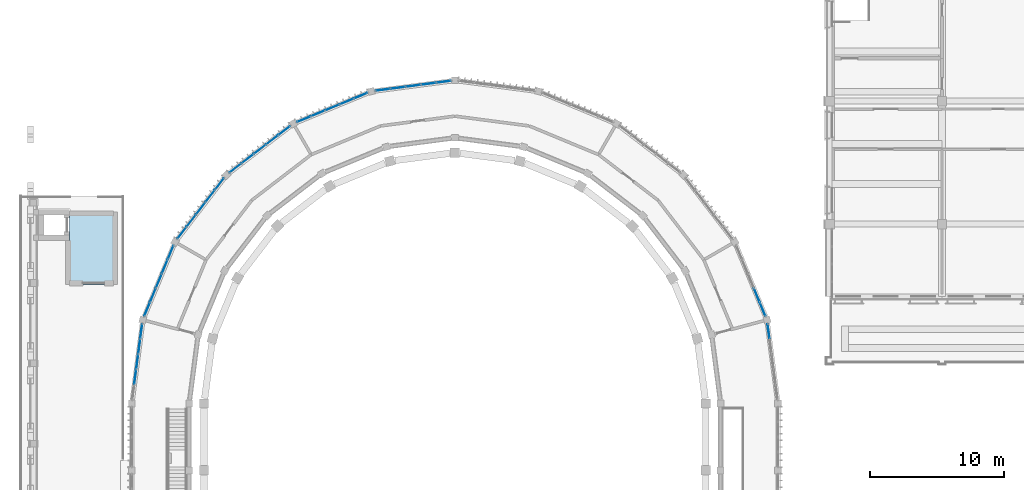
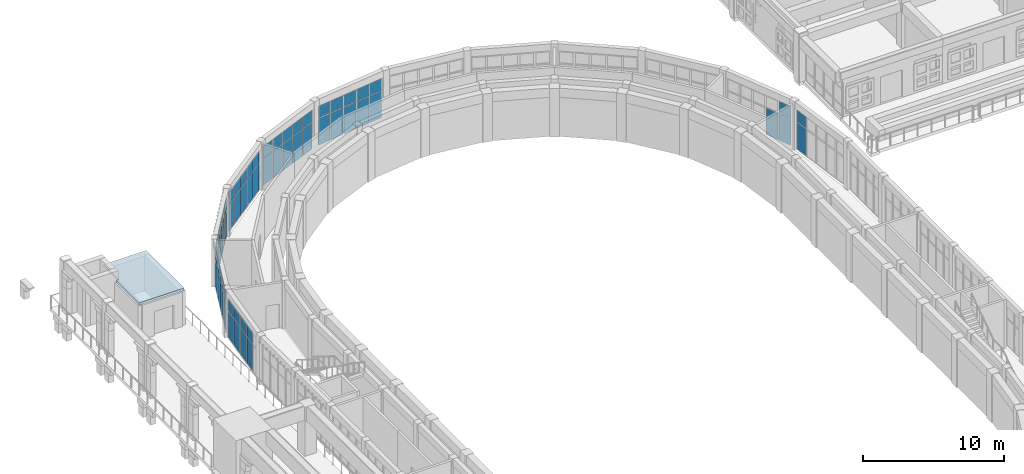
# One storey, part 46 of 99: 63 plates, 1 slab, 8 elements without a shape of their own.
"""IFC4 building model written with IfcOpenShell, lengths in metres."""

from ifc_helpers import new_model, si_unit, direction, frame, origin, origin_2d, place, context, subcontext, project, spatial, polyline, rectangle, outline, extrude, material, layer, layer_set, type_object, element, aggregate, save


model = new_model("IFC4")

# Units and contexts
model_context = context("Model", 3, precision=1e-05, world=origin(), true_north=direction((0.0, 1.0)))
body_context = subcontext(model_context, "Body", "Model", "MODEL_VIEW")
ifc_project = project(units=[si_unit("LENGTHUNIT", "METRE"), si_unit("AREAUNIT", "SQUARE_METRE"), si_unit("VOLUMEUNIT", "CUBIC_METRE"), si_unit("PLANEANGLEUNIT", "RADIAN"), si_unit("MASSUNIT", "GRAM", prefix="KILO")], contexts=[model_context])

# Site, building, storey
site_placement = place(None, origin())
site = spatial("IfcSite", under=ifc_project, at=site_placement, CompositionType="ELEMENT")
building_placement = place(site_placement, origin())
building = spatial("IfcBuilding", under=site, at=building_placement, Name="Wasatch Bagh Community Centre", CompositionType="ELEMENT")
storey_placement = place(building_placement, frame((0.0, 0.0, 4.199951171875)))
storey = spatial("IfcBuildingStorey", under=building, at=storey_placement, Name="L01", CompositionType="ELEMENT", Elevation=4.199951171875)

# Slab
ifc_material_1 = material(Name="Concrete C35", Category="concrete")
ifc_layer_1 = layer(ifc_material_1, 0.2099609375)
ifc_layer_set_1 = layer_set([ifc_layer_1], Name="Concrete C35")
slab_type = type_object("IfcSlabType", Name="CT-S3", PredefinedType="ROOF", material=ifc_layer_set_1)
slab_placement = place(storey_placement, frame((0.0, 0.0, 3.0)))
element("IfcSlab", 1, at=slab_placement, inside=storey, type_object=slab_type, Name="Terrace lobby N roof", PredefinedType="ROOF", context=body_context, shape_type="SweptSolid", body=[
    extrude(outline(polyline([(10.699951171875, 79.300048828125), (10.699951171875, 73.89990234375), (7.0, 73.89990234375), (7.0, 77.18994140625), (7.199951171875, 77.18994140625), (7.199951171875, 79.300048828125), (10.699951171875, 79.300048828125)])), origin(), (0.0, 0.0, 1.0), 0.2099609375),
])

# Curtain wall, plates
ifc_material_2 = material(Name="Aluminium curtain wall frame with low-iron insulated glass", Category="aluminium")
ifc_layer_2 = layer(ifc_material_2, 0.14990234375)
ifc_layer_set_2 = layer_set([ifc_layer_2], Name="Aluminium curtain wall frame with low-iron insulated glass")
curtain_wall_type = type_object("IfcCurtainWallType", Name="Drum curtain wall DR-CW2", PredefinedType="NOTDEFINED", material=ifc_layer_set_2)
curtain_wall_1_placement = place(storey_placement, origin())
curtain_wall_1 = element("IfcCurtainWall", 2, at=curtain_wall_1_placement, inside=storey, type_object=curtain_wall_type, Name="Curtain wall DR-CW2 19", PredefinedType="NOTDEFINED")
ifc_material_3 = material(Name="Low-iron insulated glass", Category="glass")
ifc_layer_3 = layer(ifc_material_3, 0.028076171875)
ifc_layer_set_3 = layer_set([ifc_layer_3], Name="Low-iron insulated glass")
plate_type = type_object("IfcPlateType", Name="Drum glass panel DR-CW2", PredefinedType="CURTAIN_PANEL", material=ifc_layer_set_3)
plate_1_placement = place(storey_placement, frame((59.438720703125, 70.40234375, 0.06005859375), z_axis=(0.0, 0.0, 1.0), x_axis=(-0.130526192185, 0.991444861378, 0.0)))
plate_1 = element("IfcPlate", 3, at=plate_1_placement, type_object=plate_type, Name="DR-CW2 panel 5.1", PredefinedType="CURTAIN_PANEL", context=body_context, shape_type="SweptSolid", body=[
    extrude(rectangle(XDim=1.06591796875, YDim=0.028076171875, at=origin_2d()), origin(), (0.0, 0.0, 1.0), 2.31005859375),
])
plate_2_placement = place(storey_placement, frame((59.438720703125, 70.40234375, 2.43017578125), z_axis=(0.0, 0.0, 1.0), x_axis=(-0.130526192185, 0.991444861378, 0.0)))
plate_2 = element("IfcPlate", 4, at=plate_2_placement, type_object=plate_type, Name="DR-CW2 panel 5.2", PredefinedType="CURTAIN_PANEL", context=body_context, shape_type="SweptSolid", body=[
    extrude(rectangle(XDim=1.06591796875, YDim=0.028076171875, at=origin_2d()), origin(), (0.0, 0.0, 1.0), 1.010009765625),
])
aggregate(curtain_wall_1, [plate_1, plate_2])

curtain_wall_2_placement = place(storey_placement, origin())
curtain_wall_2 = element("IfcCurtainWall", 5, at=curtain_wall_2_placement, inside=storey, type_object=curtain_wall_type, Name="Curtain wall DR-CW2 20", PredefinedType="NOTDEFINED")
plate_3_placement = place(storey_placement, frame((58.999755859375, 72.040771484375, 0.06005859375), z_axis=(0.0, 0.0, 1.0), x_axis=(-0.38268343251, 0.923879532451, 0.0)))
plate_3 = element("IfcPlate", 6, at=plate_3_placement, type_object=plate_type, Name="DR-CW2 panel 1.1", PredefinedType="CURTAIN_PANEL", context=body_context, shape_type="SweptSolid", body=[
    extrude(rectangle(XDim=1.06591796875, YDim=0.028076171875, at=origin_2d()), origin(), (0.0, 0.0, 1.0), 2.31005859375),
])
plate_4_placement = place(storey_placement, frame((58.999755859375, 72.040771484375, 2.43017578125), z_axis=(0.0, 0.0, 1.0), x_axis=(-0.38268343251, 0.923879532451, 0.0)))
plate_4 = element("IfcPlate", 7, at=plate_4_placement, type_object=plate_type, Name="DR-CW2 panel 1.2", PredefinedType="CURTAIN_PANEL", context=body_context, shape_type="SweptSolid", body=[
    extrude(rectangle(XDim=1.06591796875, YDim=0.028076171875, at=origin_2d()), origin(), (0.0, 0.0, 1.0), 1.010009765625),
])
plate_5_placement = place(storey_placement, frame((58.563232421875, 73.094970703125, 0.06005859375), z_axis=(0.0, 0.0, 1.0), x_axis=(-0.38268343251, 0.923879532451, 0.0)))
plate_5 = element("IfcPlate", 8, at=plate_5_placement, type_object=plate_type, Name="DR-CW2 panel 2.1", PredefinedType="CURTAIN_PANEL", context=body_context, shape_type="SweptSolid", body=[
    extrude(rectangle(XDim=1.095947265625, YDim=0.028076171875, at=origin_2d()), origin(), (0.0, 0.0, 1.0), 2.31005859375),
])
aggregate(curtain_wall_2, [plate_3, plate_4, plate_5])

curtain_wall_3_placement = place(storey_placement, origin())
curtain_wall_3 = element("IfcCurtainWall", 9, at=curtain_wall_3_placement, inside=storey, type_object=curtain_wall_type, Name="Curtain wall DR-CW2 25", PredefinedType="NOTDEFINED")
plate_6_placement = place(storey_placement, frame((35.15185546875, 89.038330078125, 0.06005859375), z_axis=(0.0, 0.0, 1.0), x_axis=(-0.991444861378, -0.130526192185, 0.0)))
plate_6 = element("IfcPlate", 10, at=plate_6_placement, type_object=plate_type, Name="DR-CW2 panel 1.1", PredefinedType="CURTAIN_PANEL", context=body_context, shape_type="SweptSolid", body=[
    extrude(rectangle(XDim=1.06591796875, YDim=0.028076171875, at=origin_2d()), origin(), (0.0, 0.0, 1.0), 2.31005859375),
])
plate_7_placement = place(storey_placement, frame((35.15185546875, 89.038330078125, 2.43017578125), z_axis=(0.0, 0.0, 1.0), x_axis=(-0.991444861378, -0.130526192185, 0.0)))
plate_7 = element("IfcPlate", 11, at=plate_7_placement, type_object=plate_type, Name="DR-CW2 panel 1.2", PredefinedType="CURTAIN_PANEL", context=body_context, shape_type="SweptSolid", body=[
    extrude(rectangle(XDim=1.06591796875, YDim=0.028076171875, at=origin_2d()), origin(), (0.0, 0.0, 1.0), 1.010009765625),
])
plate_8_placement = place(storey_placement, frame((34.020751953125, 88.889404296875, 0.06005859375), z_axis=(0.0, 0.0, 1.0), x_axis=(-0.991444861378, -0.130526192185, 0.0)))
plate_8 = element("IfcPlate", 12, at=plate_8_placement, type_object=plate_type, Name="DR-CW2 panel 2.1", PredefinedType="CURTAIN_PANEL", context=body_context, shape_type="SweptSolid", body=[
    extrude(rectangle(XDim=1.095947265625, YDim=0.028076171875, at=origin_2d()), origin(), (0.0, 0.0, 1.0), 2.31005859375),
])
plate_9_placement = place(storey_placement, frame((34.020751953125, 88.889404296875, 2.43017578125), z_axis=(0.0, 0.0, 1.0), x_axis=(-0.991444861378, -0.130526192185, 0.0)))
plate_9 = element("IfcPlate", 13, at=plate_9_placement, type_object=plate_type, Name="DR-CW2 panel 2.2", PredefinedType="CURTAIN_PANEL", context=body_context, shape_type="SweptSolid", body=[
    extrude(rectangle(XDim=1.095947265625, YDim=0.028076171875, at=origin_2d()), origin(), (0.0, 0.0, 1.0), 1.010009765625),
])
plate_10_placement = place(storey_placement, frame((32.874755859375, 88.738525390625, 0.06005859375), z_axis=(0.0, 0.0, 1.0), x_axis=(-0.991444861378, -0.130526192185, 0.0)))
plate_10 = element("IfcPlate", 14, at=plate_10_placement, type_object=plate_type, Name="DR-CW2 panel 3.1", PredefinedType="CURTAIN_PANEL", context=body_context, shape_type="SweptSolid", body=[
    extrude(rectangle(XDim=1.095947265625, YDim=0.028076171875, at=origin_2d()), origin(), (0.0, 0.0, 1.0), 2.31005859375),
])
plate_11_placement = place(storey_placement, frame((32.874755859375, 88.738525390625, 2.43017578125), z_axis=(0.0, 0.0, 1.0), x_axis=(-0.991444861378, -0.130526192185, 0.0)))
plate_11 = element("IfcPlate", 15, at=plate_11_placement, type_object=plate_type, Name="DR-CW2 panel 3.2", PredefinedType="CURTAIN_PANEL", context=body_context, shape_type="SweptSolid", body=[
    extrude(rectangle(XDim=1.095947265625, YDim=0.028076171875, at=origin_2d()), origin(), (0.0, 0.0, 1.0), 1.010009765625),
])
plate_12_placement = place(storey_placement, frame((31.728759765625, 88.587646484375, 0.06005859375), z_axis=(0.0, 0.0, 1.0), x_axis=(-0.991444861378, -0.130526192185, 0.0)))
plate_12 = element("IfcPlate", 16, at=plate_12_placement, type_object=plate_type, Name="DR-CW2 panel 4.1", PredefinedType="CURTAIN_PANEL", context=body_context, shape_type="SweptSolid", body=[
    extrude(rectangle(XDim=1.095947265625, YDim=0.028076171875, at=origin_2d()), origin(), (0.0, 0.0, 1.0), 2.31005859375),
])
plate_13_placement = place(storey_placement, frame((31.728759765625, 88.587646484375, 2.43017578125), z_axis=(0.0, 0.0, 1.0), x_axis=(-0.991444861378, -0.130526192185, 0.0)))
plate_13 = element("IfcPlate", 17, at=plate_13_placement, type_object=plate_type, Name="DR-CW2 panel 4.2", PredefinedType="CURTAIN_PANEL", context=body_context, shape_type="SweptSolid", body=[
    extrude(rectangle(XDim=1.095947265625, YDim=0.028076171875, at=origin_2d()), origin(), (0.0, 0.0, 1.0), 1.010009765625),
])
plate_14_placement = place(storey_placement, frame((30.59765625, 88.438720703125, 0.06005859375), z_axis=(0.0, 0.0, 1.0), x_axis=(-0.991444861378, -0.130526192185, 0.0)))
plate_14 = element("IfcPlate", 18, at=plate_14_placement, type_object=plate_type, Name="DR-CW2 panel 5.1", PredefinedType="CURTAIN_PANEL", context=body_context, shape_type="SweptSolid", body=[
    extrude(rectangle(XDim=1.06591796875, YDim=0.028076171875, at=origin_2d()), origin(), (0.0, 0.0, 1.0), 2.31005859375),
])
plate_15_placement = place(storey_placement, frame((30.59765625, 88.438720703125, 2.43017578125), z_axis=(0.0, 0.0, 1.0), x_axis=(-0.991444861378, -0.130526192185, 0.0)))
plate_15 = element("IfcPlate", 19, at=plate_15_placement, type_object=plate_type, Name="DR-CW2 panel 5.2", PredefinedType="CURTAIN_PANEL", context=body_context, shape_type="SweptSolid", body=[
    extrude(rectangle(XDim=1.06591796875, YDim=0.028076171875, at=origin_2d()), origin(), (0.0, 0.0, 1.0), 1.010009765625),
])
aggregate(curtain_wall_3, [plate_6, plate_7, plate_8, plate_9, plate_10, plate_11, plate_12, plate_13, plate_14, plate_15])

curtain_wall_4_placement = place(storey_placement, origin())
curtain_wall_4 = element("IfcCurtainWall", 20, at=curtain_wall_4_placement, inside=storey, type_object=curtain_wall_type, Name="Curtain wall DR-CW2 26", PredefinedType="NOTDEFINED")
plate_16_placement = place(storey_placement, frame((28.959228515625, 87.999755859375, 0.06005859375), z_axis=(0.0, 0.0, 1.0), x_axis=(-0.923879532451, -0.38268343251, 0.0)))
plate_16 = element("IfcPlate", 21, at=plate_16_placement, type_object=plate_type, Name="DR-CW2 panel 1.1", PredefinedType="CURTAIN_PANEL", context=body_context, shape_type="SweptSolid", body=[
    extrude(rectangle(XDim=1.06591796875, YDim=0.028076171875, at=origin_2d()), origin(), (0.0, 0.0, 1.0), 2.31005859375),
])
plate_17_placement = place(storey_placement, frame((28.959228515625, 87.999755859375, 2.43017578125), z_axis=(0.0, 0.0, 1.0), x_axis=(-0.923879532451, -0.38268343251, 0.0)))
plate_17 = element("IfcPlate", 22, at=plate_17_placement, type_object=plate_type, Name="DR-CW2 panel 1.2", PredefinedType="CURTAIN_PANEL", context=body_context, shape_type="SweptSolid", body=[
    extrude(rectangle(XDim=1.06591796875, YDim=0.028076171875, at=origin_2d()), origin(), (0.0, 0.0, 1.0), 1.010009765625),
])
plate_18_placement = place(storey_placement, frame((27.905029296875, 87.563232421875, 0.06005859375), z_axis=(0.0, 0.0, 1.0), x_axis=(-0.923879532451, -0.38268343251, 0.0)))
plate_18 = element("IfcPlate", 23, at=plate_18_placement, type_object=plate_type, Name="DR-CW2 panel 2.1", PredefinedType="CURTAIN_PANEL", context=body_context, shape_type="SweptSolid", body=[
    extrude(rectangle(XDim=1.095947265625, YDim=0.028076171875, at=origin_2d()), origin(), (0.0, 0.0, 1.0), 2.31005859375),
])
plate_19_placement = place(storey_placement, frame((27.905029296875, 87.563232421875, 2.43017578125), z_axis=(0.0, 0.0, 1.0), x_axis=(-0.923879532451, -0.38268343251, 0.0)))
plate_19 = element("IfcPlate", 24, at=plate_19_placement, type_object=plate_type, Name="DR-CW2 panel 2.2", PredefinedType="CURTAIN_PANEL", context=body_context, shape_type="SweptSolid", body=[
    extrude(rectangle(XDim=1.095947265625, YDim=0.028076171875, at=origin_2d()), origin(), (0.0, 0.0, 1.0), 1.010009765625),
])
plate_20_placement = place(storey_placement, frame((26.837158203125, 87.120849609375, 0.06005859375), z_axis=(0.0, 0.0, 1.0), x_axis=(-0.923879532451, -0.38268343251, 0.0)))
plate_20 = element("IfcPlate", 25, at=plate_20_placement, type_object=plate_type, Name="DR-CW2 panel 3.1", PredefinedType="CURTAIN_PANEL", context=body_context, shape_type="SweptSolid", body=[
    extrude(rectangle(XDim=1.095947265625, YDim=0.028076171875, at=origin_2d()), origin(), (0.0, 0.0, 1.0), 2.31005859375),
])
plate_21_placement = place(storey_placement, frame((26.837158203125, 87.120849609375, 2.43017578125), z_axis=(0.0, 0.0, 1.0), x_axis=(-0.923879532451, -0.38268343251, 0.0)))
plate_21 = element("IfcPlate", 26, at=plate_21_placement, type_object=plate_type, Name="DR-CW2 panel 3.2", PredefinedType="CURTAIN_PANEL", context=body_context, shape_type="SweptSolid", body=[
    extrude(rectangle(XDim=1.095947265625, YDim=0.028076171875, at=origin_2d()), origin(), (0.0, 0.0, 1.0), 1.010009765625),
])
plate_22_placement = place(storey_placement, frame((25.769287109375, 86.678466796875, 0.06005859375), z_axis=(0.0, 0.0, 1.0), x_axis=(-0.923879532451, -0.38268343251, 0.0)))
plate_22 = element("IfcPlate", 27, at=plate_22_placement, type_object=plate_type, Name="DR-CW2 panel 4.1", PredefinedType="CURTAIN_PANEL", context=body_context, shape_type="SweptSolid", body=[
    extrude(rectangle(XDim=1.095947265625, YDim=0.028076171875, at=origin_2d()), origin(), (0.0, 0.0, 1.0), 2.31005859375),
])
plate_23_placement = place(storey_placement, frame((25.769287109375, 86.678466796875, 2.43017578125), z_axis=(0.0, 0.0, 1.0), x_axis=(-0.923879532451, -0.38268343251, 0.0)))
plate_23 = element("IfcPlate", 28, at=plate_23_placement, type_object=plate_type, Name="DR-CW2 panel 4.2", PredefinedType="CURTAIN_PANEL", context=body_context, shape_type="SweptSolid", body=[
    extrude(rectangle(XDim=1.095947265625, YDim=0.028076171875, at=origin_2d()), origin(), (0.0, 0.0, 1.0), 1.010009765625),
])
plate_24_placement = place(storey_placement, frame((24.71533203125, 86.241943359375, 0.06005859375), z_axis=(0.0, 0.0, 1.0), x_axis=(-0.923879532451, -0.38268343251, 0.0)))
plate_24 = element("IfcPlate", 29, at=plate_24_placement, type_object=plate_type, Name="DR-CW2 panel 5.1", PredefinedType="CURTAIN_PANEL", context=body_context, shape_type="SweptSolid", body=[
    extrude(rectangle(XDim=1.06591796875, YDim=0.028076171875, at=origin_2d()), origin(), (0.0, 0.0, 1.0), 2.31005859375),
])
plate_25_placement = place(storey_placement, frame((24.71533203125, 86.241943359375, 2.43017578125), z_axis=(0.0, 0.0, 1.0), x_axis=(-0.923879532451, -0.38268343251, 0.0)))
plate_25 = element("IfcPlate", 30, at=plate_25_placement, type_object=plate_type, Name="DR-CW2 panel 5.2", PredefinedType="CURTAIN_PANEL", context=body_context, shape_type="SweptSolid", body=[
    extrude(rectangle(XDim=1.06591796875, YDim=0.028076171875, at=origin_2d()), origin(), (0.0, 0.0, 1.0), 1.010009765625),
])
aggregate(curtain_wall_4, [plate_16, plate_17, plate_18, plate_19, plate_20, plate_21, plate_22, plate_23, plate_24, plate_25])

curtain_wall_5_placement = place(storey_placement, origin())
curtain_wall_5 = element("IfcCurtainWall", 31, at=curtain_wall_5_placement, inside=storey, type_object=curtain_wall_type, Name="Curtain wall DR-CW2 27", PredefinedType="NOTDEFINED")
plate_26_placement = place(storey_placement, frame((23.246337890625, 85.393798828125, 0.06005859375), z_axis=(0.0, 0.0, 1.0), x_axis=(-0.793353340196, -0.608761429133, 0.0)))
plate_26 = element("IfcPlate", 32, at=plate_26_placement, type_object=plate_type, Name="DR-CW2 panel 1.1", PredefinedType="CURTAIN_PANEL", context=body_context, shape_type="SweptSolid", body=[
    extrude(rectangle(XDim=1.06591796875, YDim=0.028076171875, at=origin_2d()), origin(), (0.0, 0.0, 1.0), 2.31005859375),
])
plate_27_placement = place(storey_placement, frame((23.246337890625, 85.393798828125, 2.43017578125), z_axis=(0.0, 0.0, 1.0), x_axis=(-0.793353340196, -0.608761429133, 0.0)))
plate_27 = element("IfcPlate", 33, at=plate_27_placement, type_object=plate_type, Name="DR-CW2 panel 1.2", PredefinedType="CURTAIN_PANEL", context=body_context, shape_type="SweptSolid", body=[
    extrude(rectangle(XDim=1.06591796875, YDim=0.028076171875, at=origin_2d()), origin(), (0.0, 0.0, 1.0), 1.010009765625),
])
plate_28_placement = place(storey_placement, frame((22.34130859375, 84.69921875, 0.06005859375), z_axis=(0.0, 0.0, 1.0), x_axis=(-0.793353340196, -0.608761429133, 0.0)))
plate_28 = element("IfcPlate", 34, at=plate_28_placement, type_object=plate_type, Name="DR-CW2 panel 2.1", PredefinedType="CURTAIN_PANEL", context=body_context, shape_type="SweptSolid", body=[
    extrude(rectangle(XDim=1.095947265625, YDim=0.028076171875, at=origin_2d()), origin(), (0.0, 0.0, 1.0), 2.31005859375),
])
plate_29_placement = place(storey_placement, frame((22.34130859375, 84.69921875, 2.43017578125), z_axis=(0.0, 0.0, 1.0), x_axis=(-0.793353340196, -0.608761429133, 0.0)))
plate_29 = element("IfcPlate", 35, at=plate_29_placement, type_object=plate_type, Name="DR-CW2 panel 2.2", PredefinedType="CURTAIN_PANEL", context=body_context, shape_type="SweptSolid", body=[
    extrude(rectangle(XDim=1.095947265625, YDim=0.028076171875, at=origin_2d()), origin(), (0.0, 0.0, 1.0), 1.010009765625),
])
plate_30_placement = place(storey_placement, frame((21.424072265625, 83.99560546875, 0.06005859375), z_axis=(0.0, 0.0, 1.0), x_axis=(-0.793353340196, -0.608761429133, 0.0)))
plate_30 = element("IfcPlate", 36, at=plate_30_placement, type_object=plate_type, Name="DR-CW2 panel 3.1", PredefinedType="CURTAIN_PANEL", context=body_context, shape_type="SweptSolid", body=[
    extrude(rectangle(XDim=1.095947265625, YDim=0.028076171875, at=origin_2d()), origin(), (0.0, 0.0, 1.0), 2.31005859375),
])
plate_31_placement = place(storey_placement, frame((21.424072265625, 83.99560546875, 2.43017578125), z_axis=(0.0, 0.0, 1.0), x_axis=(-0.793353340196, -0.608761429133, 0.0)))
plate_31 = element("IfcPlate", 37, at=plate_31_placement, type_object=plate_type, Name="DR-CW2 panel 3.2", PredefinedType="CURTAIN_PANEL", context=body_context, shape_type="SweptSolid", body=[
    extrude(rectangle(XDim=1.095947265625, YDim=0.028076171875, at=origin_2d()), origin(), (0.0, 0.0, 1.0), 1.010009765625),
])
plate_32_placement = place(storey_placement, frame((20.507080078125, 83.2919921875, 0.06005859375), z_axis=(0.0, 0.0, 1.0), x_axis=(-0.793353340196, -0.608761429133, 0.0)))
plate_32 = element("IfcPlate", 38, at=plate_32_placement, type_object=plate_type, Name="DR-CW2 panel 4.1", PredefinedType="CURTAIN_PANEL", context=body_context, shape_type="SweptSolid", body=[
    extrude(rectangle(XDim=1.095947265625, YDim=0.028076171875, at=origin_2d()), origin(), (0.0, 0.0, 1.0), 2.31005859375),
])
plate_33_placement = place(storey_placement, frame((20.507080078125, 83.2919921875, 2.43017578125), z_axis=(0.0, 0.0, 1.0), x_axis=(-0.793353340196, -0.608761429133, 0.0)))
plate_33 = element("IfcPlate", 39, at=plate_33_placement, type_object=plate_type, Name="DR-CW2 panel 4.2", PredefinedType="CURTAIN_PANEL", context=body_context, shape_type="SweptSolid", body=[
    extrude(rectangle(XDim=1.095947265625, YDim=0.028076171875, at=origin_2d()), origin(), (0.0, 0.0, 1.0), 1.010009765625),
])
plate_34_placement = place(storey_placement, frame((19.60205078125, 82.597412109375, 0.06005859375), z_axis=(0.0, 0.0, 1.0), x_axis=(-0.793353340196, -0.608761429133, 0.0)))
plate_34 = element("IfcPlate", 40, at=plate_34_placement, type_object=plate_type, Name="DR-CW2 panel 5.1", PredefinedType="CURTAIN_PANEL", context=body_context, shape_type="SweptSolid", body=[
    extrude(rectangle(XDim=1.06591796875, YDim=0.028076171875, at=origin_2d()), origin(), (0.0, 0.0, 1.0), 2.31005859375),
])
plate_35_placement = place(storey_placement, frame((19.60205078125, 82.597412109375, 2.43017578125), z_axis=(0.0, 0.0, 1.0), x_axis=(-0.793353340196, -0.608761429133, 0.0)))
plate_35 = element("IfcPlate", 41, at=plate_35_placement, type_object=plate_type, Name="DR-CW2 panel 5.2", PredefinedType="CURTAIN_PANEL", context=body_context, shape_type="SweptSolid", body=[
    extrude(rectangle(XDim=1.06591796875, YDim=0.028076171875, at=origin_2d()), origin(), (0.0, 0.0, 1.0), 1.010009765625),
])
aggregate(curtain_wall_5, [plate_26, plate_27, plate_28, plate_29, plate_30, plate_31, plate_32, plate_33, plate_34, plate_35])

curtain_wall_6_placement = place(storey_placement, origin())
curtain_wall_6 = element("IfcCurtainWall", 42, at=curtain_wall_6_placement, inside=storey, type_object=curtain_wall_type, Name="Curtain wall DR-CW2 28", PredefinedType="NOTDEFINED")
plate_36_placement = place(storey_placement, frame((18.402587890625, 81.39794921875, 0.06005859375), z_axis=(0.0, 0.0, 1.0), x_axis=(-0.608761429133, -0.793353340196, 0.0)))
plate_36 = element("IfcPlate", 43, at=plate_36_placement, type_object=plate_type, Name="DR-CW2 panel 1.1", PredefinedType="CURTAIN_PANEL", context=body_context, shape_type="SweptSolid", body=[
    extrude(rectangle(XDim=1.06591796875, YDim=0.028076171875, at=origin_2d()), origin(), (0.0, 0.0, 1.0), 2.31005859375),
])
plate_37_placement = place(storey_placement, frame((18.402587890625, 81.39794921875, 2.43017578125), z_axis=(0.0, 0.0, 1.0), x_axis=(-0.608761429133, -0.793353340196, 0.0)))
plate_37 = element("IfcPlate", 44, at=plate_37_placement, type_object=plate_type, Name="DR-CW2 panel 1.2", PredefinedType="CURTAIN_PANEL", context=body_context, shape_type="SweptSolid", body=[
    extrude(rectangle(XDim=1.06591796875, YDim=0.028076171875, at=origin_2d()), origin(), (0.0, 0.0, 1.0), 1.010009765625),
])
plate_38_placement = place(storey_placement, frame((17.7080078125, 80.492919921875, 0.06005859375), z_axis=(0.0, 0.0, 1.0), x_axis=(-0.608761429133, -0.793353340196, 0.0)))
plate_38 = element("IfcPlate", 45, at=plate_38_placement, type_object=plate_type, Name="DR-CW2 panel 2.1", PredefinedType="CURTAIN_PANEL", context=body_context, shape_type="SweptSolid", body=[
    extrude(rectangle(XDim=1.095947265625, YDim=0.028076171875, at=origin_2d()), origin(), (0.0, 0.0, 1.0), 2.31005859375),
])
plate_39_placement = place(storey_placement, frame((17.7080078125, 80.492919921875, 2.43017578125), z_axis=(0.0, 0.0, 1.0), x_axis=(-0.608761429133, -0.793353340196, 0.0)))
plate_39 = element("IfcPlate", 46, at=plate_39_placement, type_object=plate_type, Name="DR-CW2 panel 2.2", PredefinedType="CURTAIN_PANEL", context=body_context, shape_type="SweptSolid", body=[
    extrude(rectangle(XDim=1.095947265625, YDim=0.028076171875, at=origin_2d()), origin(), (0.0, 0.0, 1.0), 1.010009765625),
])
plate_40_placement = place(storey_placement, frame((17.00439453125, 79.575927734375, 0.06005859375), z_axis=(0.0, 0.0, 1.0), x_axis=(-0.608761429133, -0.793353340196, 0.0)))
plate_40 = element("IfcPlate", 47, at=plate_40_placement, type_object=plate_type, Name="DR-CW2 panel 3.1", PredefinedType="CURTAIN_PANEL", context=body_context, shape_type="SweptSolid", body=[
    extrude(rectangle(XDim=1.095947265625, YDim=0.028076171875, at=origin_2d()), origin(), (0.0, 0.0, 1.0), 2.31005859375),
])
plate_41_placement = place(storey_placement, frame((17.00439453125, 79.575927734375, 2.43017578125), z_axis=(0.0, 0.0, 1.0), x_axis=(-0.608761429133, -0.793353340196, 0.0)))
plate_41 = element("IfcPlate", 48, at=plate_41_placement, type_object=plate_type, Name="DR-CW2 panel 3.2", PredefinedType="CURTAIN_PANEL", context=body_context, shape_type="SweptSolid", body=[
    extrude(rectangle(XDim=1.095947265625, YDim=0.028076171875, at=origin_2d()), origin(), (0.0, 0.0, 1.0), 1.010009765625),
])
plate_42_placement = place(storey_placement, frame((16.30078125, 78.65869140625, 0.06005859375), z_axis=(0.0, 0.0, 1.0), x_axis=(-0.608761429133, -0.793353340196, 0.0)))
plate_42 = element("IfcPlate", 49, at=plate_42_placement, type_object=plate_type, Name="DR-CW2 panel 4.1", PredefinedType="CURTAIN_PANEL", context=body_context, shape_type="SweptSolid", body=[
    extrude(rectangle(XDim=1.095947265625, YDim=0.028076171875, at=origin_2d()), origin(), (0.0, 0.0, 1.0), 2.31005859375),
])
plate_43_placement = place(storey_placement, frame((16.30078125, 78.65869140625, 2.43017578125), z_axis=(0.0, 0.0, 1.0), x_axis=(-0.608761429133, -0.793353340196, 0.0)))
plate_43 = element("IfcPlate", 50, at=plate_43_placement, type_object=plate_type, Name="DR-CW2 panel 4.2", PredefinedType="CURTAIN_PANEL", context=body_context, shape_type="SweptSolid", body=[
    extrude(rectangle(XDim=1.095947265625, YDim=0.028076171875, at=origin_2d()), origin(), (0.0, 0.0, 1.0), 1.010009765625),
])
plate_44_placement = place(storey_placement, frame((15.606201171875, 77.753662109375, 0.06005859375), z_axis=(0.0, 0.0, 1.0), x_axis=(-0.608761429133, -0.793353340196, 0.0)))
plate_44 = element("IfcPlate", 51, at=plate_44_placement, type_object=plate_type, Name="DR-CW2 panel 5.1", PredefinedType="CURTAIN_PANEL", context=body_context, shape_type="SweptSolid", body=[
    extrude(rectangle(XDim=1.06591796875, YDim=0.028076171875, at=origin_2d()), origin(), (0.0, 0.0, 1.0), 2.31005859375),
])
plate_45_placement = place(storey_placement, frame((15.606201171875, 77.753662109375, 2.43017578125), z_axis=(0.0, 0.0, 1.0), x_axis=(-0.608761429133, -0.793353340196, 0.0)))
plate_45 = element("IfcPlate", 52, at=plate_45_placement, type_object=plate_type, Name="DR-CW2 panel 5.2", PredefinedType="CURTAIN_PANEL", context=body_context, shape_type="SweptSolid", body=[
    extrude(rectangle(XDim=1.06591796875, YDim=0.028076171875, at=origin_2d()), origin(), (0.0, 0.0, 1.0), 1.010009765625),
])
aggregate(curtain_wall_6, [plate_36, plate_37, plate_38, plate_39, plate_40, plate_41, plate_42, plate_43, plate_44, plate_45])

curtain_wall_7_placement = place(storey_placement, origin())
curtain_wall_7 = element("IfcCurtainWall", 53, at=curtain_wall_7_placement, inside=storey, type_object=curtain_wall_type, Name="Curtain wall DR-CW2 29", PredefinedType="NOTDEFINED")
plate_46_placement = place(storey_placement, frame((14.758056640625, 76.28466796875, 0.06005859375), z_axis=(0.0, 0.0, 1.0), x_axis=(-0.38268343251, -0.923879532451, 0.0)))
plate_46 = element("IfcPlate", 54, at=plate_46_placement, type_object=plate_type, Name="DR-CW2 panel 1.1", PredefinedType="CURTAIN_PANEL", context=body_context, shape_type="SweptSolid", body=[
    extrude(rectangle(XDim=1.06591796875, YDim=0.028076171875, at=origin_2d()), origin(), (0.0, 0.0, 1.0), 2.31005859375),
])
plate_47_placement = place(storey_placement, frame((14.758056640625, 76.28466796875, 2.43017578125), z_axis=(0.0, 0.0, 1.0), x_axis=(-0.38268343251, -0.923879532451, 0.0)))
plate_47 = element("IfcPlate", 55, at=plate_47_placement, type_object=plate_type, Name="DR-CW2 panel 1.2", PredefinedType="CURTAIN_PANEL", context=body_context, shape_type="SweptSolid", body=[
    extrude(rectangle(XDim=1.06591796875, YDim=0.028076171875, at=origin_2d()), origin(), (0.0, 0.0, 1.0), 1.010009765625),
])
plate_48_placement = place(storey_placement, frame((14.321533203125, 75.230712890625, 0.06005859375), z_axis=(0.0, 0.0, 1.0), x_axis=(-0.38268343251, -0.923879532451, 0.0)))
plate_48 = element("IfcPlate", 56, at=plate_48_placement, type_object=plate_type, Name="DR-CW2 panel 2.1", PredefinedType="CURTAIN_PANEL", context=body_context, shape_type="SweptSolid", body=[
    extrude(rectangle(XDim=1.095947265625, YDim=0.028076171875, at=origin_2d()), origin(), (0.0, 0.0, 1.0), 2.31005859375),
])
plate_49_placement = place(storey_placement, frame((14.321533203125, 75.230712890625, 2.43017578125), z_axis=(0.0, 0.0, 1.0), x_axis=(-0.38268343251, -0.923879532451, 0.0)))
plate_49 = element("IfcPlate", 57, at=plate_49_placement, type_object=plate_type, Name="DR-CW2 panel 2.2", PredefinedType="CURTAIN_PANEL", context=body_context, shape_type="SweptSolid", body=[
    extrude(rectangle(XDim=1.095947265625, YDim=0.028076171875, at=origin_2d()), origin(), (0.0, 0.0, 1.0), 1.010009765625),
])
plate_50_placement = place(storey_placement, frame((13.879150390625, 74.162841796875, 0.06005859375), z_axis=(0.0, 0.0, 1.0), x_axis=(-0.38268343251, -0.923879532451, 0.0)))
plate_50 = element("IfcPlate", 58, at=plate_50_placement, type_object=plate_type, Name="DR-CW2 panel 3.1", PredefinedType="CURTAIN_PANEL", context=body_context, shape_type="SweptSolid", body=[
    extrude(rectangle(XDim=1.095947265625, YDim=0.028076171875, at=origin_2d()), origin(), (0.0, 0.0, 1.0), 2.31005859375),
])
plate_51_placement = place(storey_placement, frame((13.879150390625, 74.162841796875, 2.43017578125), z_axis=(0.0, 0.0, 1.0), x_axis=(-0.38268343251, -0.923879532451, 0.0)))
plate_51 = element("IfcPlate", 59, at=plate_51_placement, type_object=plate_type, Name="DR-CW2 panel 3.2", PredefinedType="CURTAIN_PANEL", context=body_context, shape_type="SweptSolid", body=[
    extrude(rectangle(XDim=1.095947265625, YDim=0.028076171875, at=origin_2d()), origin(), (0.0, 0.0, 1.0), 1.010009765625),
])
plate_52_placement = place(storey_placement, frame((13.436767578125, 73.094970703125, 0.06005859375), z_axis=(0.0, 0.0, 1.0), x_axis=(-0.38268343251, -0.923879532451, 0.0)))
plate_52 = element("IfcPlate", 60, at=plate_52_placement, type_object=plate_type, Name="DR-CW2 panel 4.1", PredefinedType="CURTAIN_PANEL", context=body_context, shape_type="SweptSolid", body=[
    extrude(rectangle(XDim=1.095947265625, YDim=0.028076171875, at=origin_2d()), origin(), (0.0, 0.0, 1.0), 2.31005859375),
])
plate_53_placement = place(storey_placement, frame((13.436767578125, 73.094970703125, 2.43017578125), z_axis=(0.0, 0.0, 1.0), x_axis=(-0.38268343251, -0.923879532451, 0.0)))
plate_53 = element("IfcPlate", 61, at=plate_53_placement, type_object=plate_type, Name="DR-CW2 panel 4.2", PredefinedType="CURTAIN_PANEL", context=body_context, shape_type="SweptSolid", body=[
    extrude(rectangle(XDim=1.095947265625, YDim=0.028076171875, at=origin_2d()), origin(), (0.0, 0.0, 1.0), 1.010009765625),
])
plate_54_placement = place(storey_placement, frame((13.000244140625, 72.040771484375, 0.06005859375), z_axis=(0.0, 0.0, 1.0), x_axis=(-0.38268343251, -0.923879532451, 0.0)))
plate_54 = element("IfcPlate", 62, at=plate_54_placement, type_object=plate_type, Name="DR-CW2 panel 5.1", PredefinedType="CURTAIN_PANEL", context=body_context, shape_type="SweptSolid", body=[
    extrude(rectangle(XDim=1.06591796875, YDim=0.028076171875, at=origin_2d()), origin(), (0.0, 0.0, 1.0), 2.31005859375),
])
plate_55_placement = place(storey_placement, frame((13.000244140625, 72.040771484375, 2.43017578125), z_axis=(0.0, 0.0, 1.0), x_axis=(-0.38268343251, -0.923879532451, 0.0)))
plate_55 = element("IfcPlate", 63, at=plate_55_placement, type_object=plate_type, Name="DR-CW2 panel 5.2", PredefinedType="CURTAIN_PANEL", context=body_context, shape_type="SweptSolid", body=[
    extrude(rectangle(XDim=1.06591796875, YDim=0.028076171875, at=origin_2d()), origin(), (0.0, 0.0, 1.0), 1.010009765625),
])
aggregate(curtain_wall_7, [plate_46, plate_47, plate_48, plate_49, plate_50, plate_51, plate_52, plate_53, plate_54, plate_55])

curtain_wall_8_placement = place(storey_placement, origin())
curtain_wall_8 = element("IfcCurtainWall", 64, at=curtain_wall_8_placement, inside=storey, type_object=curtain_wall_type, Name="Curtain wall DR-CW2 30", PredefinedType="NOTDEFINED")
plate_56_placement = place(storey_placement, frame((12.561279296875, 70.40234375, 0.06005859375), z_axis=(0.0, 0.0, 1.0), x_axis=(-0.130526192185, -0.991444861378, 0.0)))
plate_56 = element("IfcPlate", 65, at=plate_56_placement, type_object=plate_type, Name="DR-CW2 panel 1.1", PredefinedType="CURTAIN_PANEL", context=body_context, shape_type="SweptSolid", body=[
    extrude(rectangle(XDim=1.06591796875, YDim=0.028076171875, at=origin_2d()), origin(), (0.0, 0.0, 1.0), 2.31005859375),
])
plate_57_placement = place(storey_placement, frame((12.561279296875, 70.40234375, 2.43017578125), z_axis=(0.0, 0.0, 1.0), x_axis=(-0.130526192185, -0.991444861378, 0.0)))
plate_57 = element("IfcPlate", 66, at=plate_57_placement, type_object=plate_type, Name="DR-CW2 panel 1.2", PredefinedType="CURTAIN_PANEL", context=body_context, shape_type="SweptSolid", body=[
    extrude(rectangle(XDim=1.06591796875, YDim=0.028076171875, at=origin_2d()), origin(), (0.0, 0.0, 1.0), 1.010009765625),
])
plate_58_placement = place(storey_placement, frame((12.412353515625, 69.271240234375, 0.06005859375), z_axis=(0.0, 0.0, 1.0), x_axis=(-0.130526192185, -0.991444861378, 0.0)))
plate_58 = element("IfcPlate", 67, at=plate_58_placement, type_object=plate_type, Name="DR-CW2 panel 2.1", PredefinedType="CURTAIN_PANEL", context=body_context, shape_type="SweptSolid", body=[
    extrude(rectangle(XDim=1.095947265625, YDim=0.028076171875, at=origin_2d()), origin(), (0.0, 0.0, 1.0), 2.31005859375),
])
plate_59_placement = place(storey_placement, frame((12.412353515625, 69.271240234375, 2.43017578125), z_axis=(0.0, 0.0, 1.0), x_axis=(-0.130526192185, -0.991444861378, 0.0)))
plate_59 = element("IfcPlate", 68, at=plate_59_placement, type_object=plate_type, Name="DR-CW2 panel 2.2", PredefinedType="CURTAIN_PANEL", context=body_context, shape_type="SweptSolid", body=[
    extrude(rectangle(XDim=1.095947265625, YDim=0.028076171875, at=origin_2d()), origin(), (0.0, 0.0, 1.0), 1.010009765625),
])
plate_60_placement = place(storey_placement, frame((12.261474609375, 68.125244140625, 0.06005859375), z_axis=(0.0, 0.0, 1.0), x_axis=(-0.130526192185, -0.991444861378, 0.0)))
plate_60 = element("IfcPlate", 69, at=plate_60_placement, type_object=plate_type, Name="DR-CW2 panel 3.1", PredefinedType="CURTAIN_PANEL", context=body_context, shape_type="SweptSolid", body=[
    extrude(rectangle(XDim=1.095947265625, YDim=0.028076171875, at=origin_2d()), origin(), (0.0, 0.0, 1.0), 2.31005859375),
])
plate_61_placement = place(storey_placement, frame((12.261474609375, 68.125244140625, 2.43017578125), z_axis=(0.0, 0.0, 1.0), x_axis=(-0.130526192185, -0.991444861378, 0.0)))
plate_61 = element("IfcPlate", 70, at=plate_61_placement, type_object=plate_type, Name="DR-CW2 panel 3.2", PredefinedType="CURTAIN_PANEL", context=body_context, shape_type="SweptSolid", body=[
    extrude(rectangle(XDim=1.095947265625, YDim=0.028076171875, at=origin_2d()), origin(), (0.0, 0.0, 1.0), 1.010009765625),
])
plate_62_placement = place(storey_placement, frame((12.110595703125, 66.979248046875, 0.06005859375), z_axis=(0.0, 0.0, 1.0), x_axis=(-0.130526192185, -0.991444861378, 0.0)))
plate_62 = element("IfcPlate", 71, at=plate_62_placement, type_object=plate_type, Name="DR-CW2 panel 4.1", PredefinedType="CURTAIN_PANEL", context=body_context, shape_type="SweptSolid", body=[
    extrude(rectangle(XDim=1.095947265625, YDim=0.028076171875, at=origin_2d()), origin(), (0.0, 0.0, 1.0), 2.31005859375),
])
plate_63_placement = place(storey_placement, frame((12.110595703125, 66.979248046875, 2.43017578125), z_axis=(0.0, 0.0, 1.0), x_axis=(-0.130526192185, -0.991444861378, 0.0)))
plate_63 = element("IfcPlate", 72, at=plate_63_placement, type_object=plate_type, Name="DR-CW2 panel 4.2", PredefinedType="CURTAIN_PANEL", context=body_context, shape_type="SweptSolid", body=[
    extrude(rectangle(XDim=1.095947265625, YDim=0.028076171875, at=origin_2d()), origin(), (0.0, 0.0, 1.0), 1.010009765625),
])
aggregate(curtain_wall_8, [plate_56, plate_57, plate_58, plate_59, plate_60, plate_61, plate_62, plate_63])

save(model, "model.ifc")
